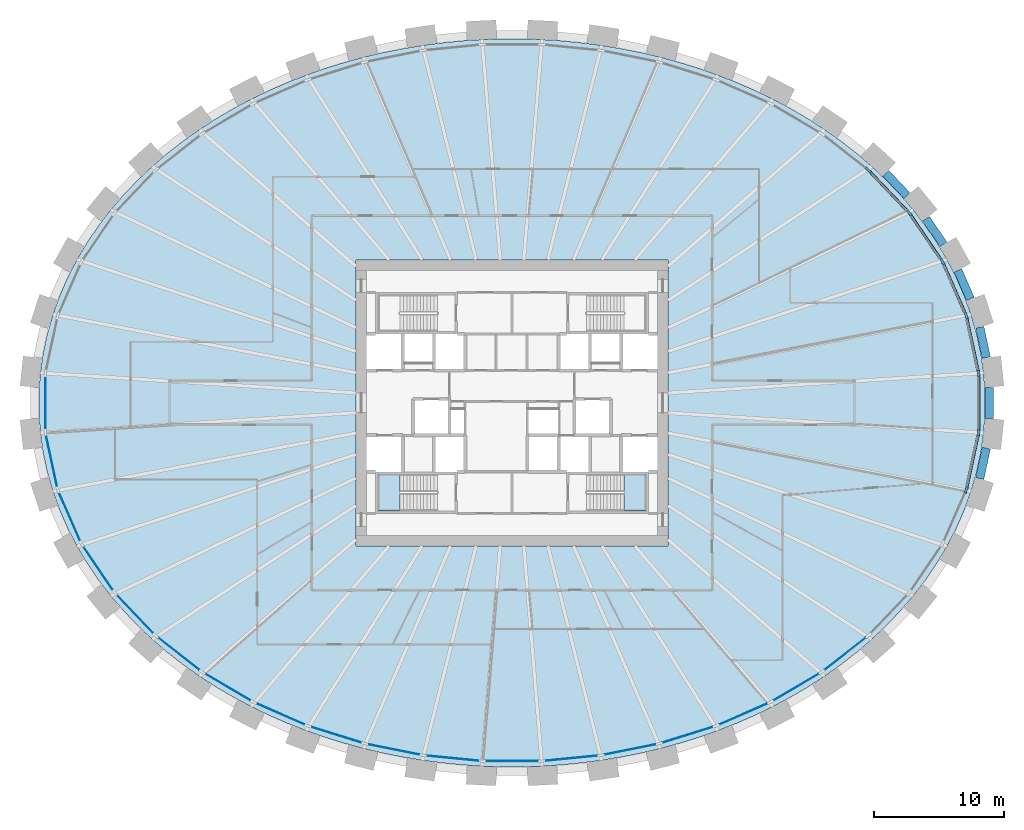
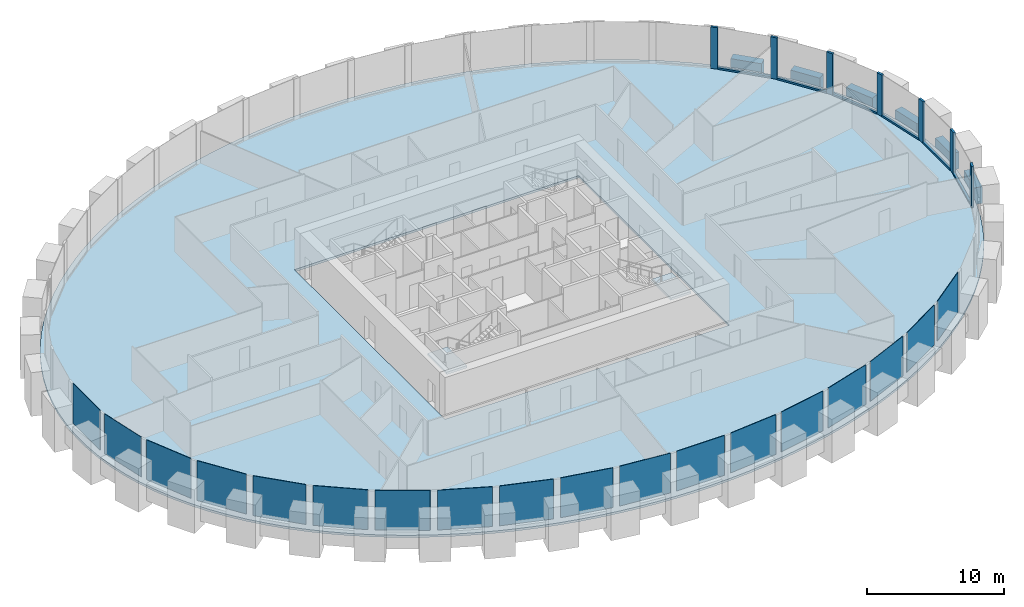
# One storey, part 4 of 10: 18 plates, 13 members, 6 beams, 3 slabs, 3 elements without a shape of their own.
"""IFC4 building model written with IfcOpenShell, lengths in metres."""

from ifc_helpers import new_model, si_unit, direction, frame, origin, origin_2d, place, context, subcontext, project, spatial, polyline, rectangle, outline, extrude, source, transform, mapped, material, layer, layer_set, material_profile, profile_set, type_object, element, aggregate, save


model = new_model("IFC4")

# Units and contexts
model_context = context("Model", 3, precision=1e-05, world=origin(), true_north=direction((0.0, 1.0)))
body_context = subcontext(model_context, "Body", "Model", "MODEL_VIEW")
ifc_project = project(units=[si_unit("LENGTHUNIT", "METRE"), si_unit("AREAUNIT", "SQUARE_METRE"), si_unit("VOLUMEUNIT", "CUBIC_METRE"), si_unit("PLANEANGLEUNIT", "RADIAN"), si_unit("MASSUNIT", "GRAM", prefix="KILO")], contexts=[model_context])

# Site, building, storey
site_placement = place(None, origin())
site = spatial("IfcSite", under=ifc_project, at=site_placement, CompositionType="ELEMENT")
building_placement = place(site_placement, origin())
building = spatial("IfcBuilding", under=site, at=building_placement, Name="Embergate Tower", CompositionType="ELEMENT")
storey_placement = place(building_placement, frame((0.0, 0.0, 179.39990234375)))
storey = spatial("IfcBuildingStorey", under=building, at=storey_placement, Name="L40", CompositionType="ELEMENT", Elevation=179.39990234375)

# Beams
ifc_material_1 = material(Name="Concrete C70", Category="concrete")
ifc_material_profile_1 = material_profile(ifc_material_1, rectangle(XDim=0.64990234375, YDim=1.5, at=origin_2d()), Name="RC 650x1500")
ifc_profile_set_1 = profile_set([ifc_material_profile_1], Name="Concrete C70")
beam_type = type_object("IfcBeamType", Name="Spandrel beam RC 650x1500 C70", PredefinedType="BEAM", material=ifc_profile_set_1)
shared_shape_1 = source(origin(), body_context, "Body", "SweptSolid", [
    extrude(rectangle(XDim=0.64990234375, YDim=1.5, at=origin_2d()), origin(), (0.0, 0.0, 1.0), 2.390625),
])
for number, where, z_axis, x_axis, name in (
    (1, (36.489013671875, 3.48388671875, 0.0), (-0.210372893439, 0.977621217909, 0.0), (-0.977621217909, -0.210372893439, 0.0), "SPN-L40-00"),
    (2, (35.986083984375, -5.821044921875, 0.0), (0.210372893439, 0.977621217909, 0.0), (-0.977621217909, 0.210372893439, 0.0), "SPN-L40-42"),
):
    element("IfcBeam", number, at=place(storey_placement, frame(where, z_axis=z_axis, x_axis=x_axis)), inside=storey, type_object=beam_type, Name=name, PredefinedType="BEAM", context=body_context, shape_type="MappedRepresentation", body=[
        mapped(shared_shape_1, transform((0.0, 0.0, 0.0))),
    ])
shared_shape_2 = source(origin(), body_context, "Body", "SweptSolid", [
    extrude(rectangle(XDim=0.64990234375, YDim=1.5, at=origin_2d()), origin(), (0.0, 0.0, 1.0), 2.383544921875),
])
beam_1_placement = place(storey_placement, frame((35.259033203125, 8.0029296875, 0.0), z_axis=(-0.401495719711, 0.915860899402, 0.0), x_axis=(-0.915860899402, -0.401495719711, 0.0)))
element("IfcBeam", 3, at=beam_1_placement, inside=storey, type_object=beam_type, Name="SPN-L40-01", PredefinedType="BEAM", context=body_context, shape_type="MappedRepresentation", body=[
    mapped(shared_shape_2, transform((0.0, 0.0, 0.0))),
])
shared_shape_3 = source(origin(), body_context, "Body", "SweptSolid", [
    extrude(rectangle(XDim=0.64990234375, YDim=1.5, at=origin_2d()), origin(), (0.0, 0.0, 1.0), 2.37744140625),
])
beam_2_placement = place(storey_placement, frame((33.18798828125, 12.198974609375, 0.0), z_axis=(-0.562307212713, 0.826928411975, 0.0), x_axis=(-0.826928411975, -0.562307212713, 0.0)))
element("IfcBeam", 4, at=beam_2_placement, inside=storey, type_object=beam_type, Name="SPN-L40-02", PredefinedType="BEAM", context=body_context, shape_type="MappedRepresentation", body=[
    mapped(shared_shape_3, transform((0.0, 0.0, 0.0))),
])
shared_shape_4 = source(origin(), body_context, "Body", "SweptSolid", [
    extrude(rectangle(XDim=0.64990234375, YDim=1.5, at=origin_2d()), origin(), (0.0, 0.0, 1.0), 2.370361328125),
])
beam_3_placement = place(storey_placement, frame((30.39111328125, 15.94189453125, 0.0), z_axis=(-0.690277300847, 0.723544917704, 0.0), x_axis=(-0.723544917704, -0.690277300847, 0.0)))
element("IfcBeam", 5, at=beam_3_placement, inside=storey, type_object=beam_type, Name="SPN-L40-03", PredefinedType="BEAM", context=body_context, shape_type="MappedRepresentation", body=[
    mapped(shared_shape_4, transform((0.0, 0.0, 0.0))),
])
shared_shape_5 = source(origin(), body_context, "Body", "SweptSolid", [
    extrude(rectangle(XDim=0.64990234375, YDim=1.5, at=origin_2d()), origin(), (0.0, 0.0, 1.0), 2.39404296875),
])
beam_4_placement = place(storey_placement, frame((36.73193359375, -1.197021484375, 0.0), z_axis=(0.0, 1.0, 0.0), x_axis=(-1.0, 0.0, 0.0)))
element("IfcBeam", 6, at=beam_4_placement, inside=storey, type_object=beam_type, Name="SPN-L40-43", PredefinedType="BEAM", context=body_context, shape_type="MappedRepresentation", body=[
    mapped(shared_shape_5, transform((0.0, 0.0, 0.0))),
])

# Curtain wall, members
ifc_material_2 = material(Name="Aluminium and glass", Category="aluminium")
curtain_wall_type = type_object("IfcCurtainWallType", Name="Recessed office glazing", PredefinedType="NOTDEFINED", material=ifc_material_2)
curtain_wall_placement = place(storey_placement, origin())
curtain_wall = element("IfcCurtainWall", 7, at=curtain_wall_placement, inside=storey, type_object=curtain_wall_type, Name="Recessed office glazing ring", ObjectType="RECESSED OFFICE GLAZING", PredefinedType="USERDEFINED")
ifc_material_3 = material(Name="Aluminium, thermally broken", Category="aluminium")
ifc_material_profile_2 = material_profile(ifc_material_3, rectangle(XDim=0.179931640625, YDim=0.52001953125, at=origin_2d()), Name="AL 520x180")
ifc_profile_set_2 = profile_set([ifc_material_profile_2], Name="Aluminium, thermally broken")
member_type_1 = type_object("IfcMemberType", Name="Office mullion", PredefinedType="MULLION", material=ifc_profile_set_2)
shared_shape_6 = source(origin(), body_context, "Body", "SweptSolid", [
    extrude(rectangle(XDim=0.179931640625, YDim=0.52001953125, at=origin_2d()), origin(), (0.0, 0.0, 1.0), 3.7001953125),
])
member_1_placement = place(storey_placement, frame((35.899658203125, 2.263427734375, 0.0), z_axis=(0.0, 0.0, 1.0), x_axis=(-0.994384770038, -0.105824992874, 0.0)))
member_1 = element("IfcMember", 8, at=member_1_placement, type_object=member_type_1, Name="CW mullion 1", PredefinedType="MULLION", context=body_context, shape_type="MappedRepresentation", body=[
    mapped(shared_shape_6, transform((0.0, 0.0, 0.0))),
])
member_2_placement = place(storey_placement, frame((34.94677734375, 6.691650390625, 0.0), z_axis=(0.0, 0.0, 1.0), x_axis=(-0.951496187099, -0.307660536853, 0.0)))
member_2 = element("IfcMember", 9, at=member_2_placement, type_object=member_type_1, Name="CW mullion 2", PredefinedType="MULLION", context=body_context, shape_type="MappedRepresentation", body=[
    mapped(shared_shape_6, transform((0.0, 0.0, 0.0))),
])
member_3_placement = place(storey_placement, frame((33.12451171875, 10.84619140625, 0.0), z_axis=(0.0, 0.0, 1.0), x_axis=(-0.874998516019, -0.484125600402, 0.0)))
member_3 = element("IfcMember", 10, at=member_3_placement, type_object=member_type_1, Name="CW mullion 3", PredefinedType="MULLION", context=body_context, shape_type="MappedRepresentation", body=[
    mapped(shared_shape_6, transform((0.0, 0.0, 0.0))),
])
member_4_placement = place(storey_placement, frame((30.568359375, 14.60498046875, 0.0), z_axis=(0.0, 0.0, 1.0), x_axis=(-0.777867080309, -0.62842883875, 0.0)))
member_4 = element("IfcMember", 11, at=member_4_placement, type_object=member_type_1, Name="CW mullion 4", PredefinedType="MULLION", context=body_context, shape_type="MappedRepresentation", body=[
    mapped(shared_shape_6, transform((0.0, 0.0, 0.0))),
])
member_5_placement = place(storey_placement, frame((27.425537109375, 17.900634765625, 0.0), z_axis=(0.0, 0.0, 1.0), x_axis=(-0.671221359023, -0.741256964346, 0.0)))
member_5 = element("IfcMember", 12, at=member_5_placement, type_object=member_type_1, Name="CW mullion 5", PredefinedType="MULLION", context=body_context, shape_type="MappedRepresentation", body=[
    mapped(shared_shape_6, transform((0.0, 0.0, 0.0))),
])
member_6_placement = place(storey_placement, frame((34.94677734375, -6.691650390625, 0.0), z_axis=(0.0, 0.0, 1.0), x_axis=(-0.951496187099, 0.307660536853, 0.0)))
member_6 = element("IfcMember", 13, at=member_6_placement, type_object=member_type_1, Name="CW mullion 43", PredefinedType="MULLION", context=body_context, shape_type="MappedRepresentation", body=[
    mapped(shared_shape_6, transform((0.0, 0.0, 0.0))),
])
member_7_placement = place(storey_placement, frame((35.899658203125, -2.263427734375, 0.0), z_axis=(0.0, 0.0, 1.0), x_axis=(-0.994384770038, 0.105824992874, 0.0)))
member_7 = element("IfcMember", 14, at=member_7_placement, type_object=member_type_1, Name="CW mullion 44", PredefinedType="MULLION", context=body_context, shape_type="MappedRepresentation", body=[
    mapped(shared_shape_6, transform((0.0, 0.0, 0.0))),
])
ifc_material_profile_3 = material_profile(ifc_material_3, rectangle(XDim=0.179931640625, YDim=0.14990234375, at=origin_2d()), Name="AL 150x180")
ifc_profile_set_3 = profile_set([ifc_material_profile_3], Name="Aluminium, thermally broken")
member_type_2 = type_object("IfcMemberType", Name="Office sill transom", PredefinedType="USERDEFINED", material=ifc_profile_set_3)
shared_shape_7 = source(origin(), body_context, "Body", "SweptSolid", [
    extrude(rectangle(XDim=0.179931640625, YDim=0.14990234375, at=origin_2d()), origin(), (0.0, 0.0, 1.0), 4.009765625),
])
member_8_placement = place(storey_placement, frame((35.844970703125, 2.517578125, 0.0751953125), z_axis=(-0.210368972531, 0.977622061635, 0.0), x_axis=(-0.977622061635, -0.210368972531, 0.0)))
member_8 = element("IfcMember", 15, at=member_8_placement, type_object=member_type_2, Name="CW transom 1.1", ObjectType="TRANSOM", PredefinedType="USERDEFINED", context=body_context, shape_type="MappedRepresentation", body=[
    mapped(shared_shape_7, transform((0.0, 0.0, 0.0))),
])
member_9_placement = place(storey_placement, frame((35.00146484375, -6.4375, 0.0751953125), z_axis=(0.210368972531, 0.977622061635, 0.0), x_axis=(-0.977622061635, 0.210368972531, 0.0)))
member_9 = element("IfcMember", 16, at=member_9_placement, type_object=member_type_2, Name="CW transom 43.1", ObjectType="TRANSOM", PredefinedType="USERDEFINED", context=body_context, shape_type="MappedRepresentation", body=[
    mapped(shared_shape_7, transform((0.0, 0.0, 0.0))),
])
shared_shape_8 = source(origin(), body_context, "Body", "SweptSolid", [
    extrude(rectangle(XDim=0.179931640625, YDim=0.14990234375, at=origin_2d()), origin(), (0.0, 0.0, 1.0), 4.0166015625),
])
member_10_placement = place(storey_placement, frame((34.84228515625, 6.9296875, 0.0751953125), z_axis=(-0.401644503167, 0.915795661202, 0.0), x_axis=(-0.915795661202, -0.401644503167, 0.0)))
member_10 = element("IfcMember", 17, at=member_10_placement, type_object=member_type_2, Name="CW transom 2.1", ObjectType="TRANSOM", PredefinedType="USERDEFINED", context=body_context, shape_type="MappedRepresentation", body=[
    mapped(shared_shape_8, transform((0.0, 0.0, 0.0))),
])
shared_shape_9 = source(origin(), body_context, "Body", "SweptSolid", [
    extrude(rectangle(XDim=0.179931640625, YDim=0.14990234375, at=origin_2d()), origin(), (0.0, 0.0, 1.0), 4.025390625),
])
member_11_placement = place(storey_placement, frame((32.978271484375, 11.061279296875, 0.0751953125), z_axis=(-0.562346517012, 0.826901683881, 0.0), x_axis=(-0.826901683881, -0.562346517012, 0.0)))
member_11 = element("IfcMember", 18, at=member_11_placement, type_object=member_type_2, Name="CW transom 3.1", ObjectType="TRANSOM", PredefinedType="USERDEFINED", context=body_context, shape_type="MappedRepresentation", body=[
    mapped(shared_shape_9, transform((0.0, 0.0, 0.0))),
])
shared_shape_10 = source(origin(), body_context, "Body", "SweptSolid", [
    extrude(rectangle(XDim=0.179931640625, YDim=0.14990234375, at=origin_2d()), origin(), (0.0, 0.0, 1.0), 4.033935546875),
])
member_12_placement = place(storey_placement, frame((30.388916015625, 14.79296875, 0.0751953125), z_axis=(-0.690112930661, 0.723701694716, 0.0), x_axis=(-0.723701694716, -0.690112930661, 0.0)))
member_12 = element("IfcMember", 19, at=member_12_placement, type_object=member_type_2, Name="CW transom 4.1", ObjectType="TRANSOM", PredefinedType="USERDEFINED", context=body_context, shape_type="MappedRepresentation", body=[
    mapped(shared_shape_10, transform((0.0, 0.0, 0.0))),
])
shared_shape_11 = source(origin(), body_context, "Body", "SweptSolid", [
    extrude(rectangle(XDim=0.179931640625, YDim=0.14990234375, at=origin_2d()), origin(), (0.0, 0.0, 1.0), 4.0068359375),
])
member_13_placement = place(storey_placement, frame((35.899658203125, -2.00341796875, 0.0751953125), z_axis=(0.0, 1.0, 0.0), x_axis=(-1.0, 0.0, 0.0)))
member_13 = element("IfcMember", 20, at=member_13_placement, type_object=member_type_2, Name="CW transom 44.1", ObjectType="TRANSOM", PredefinedType="USERDEFINED", context=body_context, shape_type="MappedRepresentation", body=[
    mapped(shared_shape_11, transform((0.0, 0.0, 0.0))),
])

# Slab
ifc_material_4 = material(Name="Concrete C40", Category="concrete")
ifc_layer_1 = layer(ifc_material_4, 0.199951171875)
ifc_layer_set_1 = layer_set([ifc_layer_1], Name="Concrete C40")
slab_type_1 = type_object("IfcSlabType", Name="Composite floor slab C40 200", PredefinedType="FLOOR", material=ifc_layer_set_1)
shared_shape_12 = source(origin(), body_context, "Body", "SweptSolid", [
    extrude(outline(polyline([(0.0, 0.0), (1.5400390625, 0.0), (3.0791015625, 0.050048828125), (4.617919921875, 0.15087890625), (6.151123046875, 0.302001953125), (7.674072265625, 0.501953125), (9.198974609375, 0.7548828125), (10.708984375, 1.057861328125), (12.200927734375, 1.409912109375), (13.696044921875, 1.81787109375), (15.166015625, 2.27587890625), (16.609130859375, 2.782958984375), (18.053955078125, 3.35107421875), (19.465087890625, 3.968017578125), (20.839111328125, 4.6318359375), (22.2109375, 5.364990234375), (23.5390625, 6.14501953125), (24.818115234375, 6.971923828125), (26.089111328125, 7.8740234375), (27.302978515625, 8.821044921875), (28.4560546875, 9.81201171875), (29.589111328125, 10.884033203125), (30.651123046875, 11.998046875), (31.64111328125, 13.15087890625), (32.590087890625, 14.387939453125), (33.4560546875, 15.660888671875), (34.235107421875, 16.966064453125), (34.949951171875, 18.347900390625), (35.568115234375, 19.7568359375), (36.0869140625, 21.18896484375), (36.51708984375, 22.677978515625), (36.841064453125, 24.181884765625), (37.05712890625, 25.697021484375), (37.1669921875, 27.23291015625), (37.1669921875, 28.77099609375), (37.05712890625, 30.306884765625), (36.841064453125, 31.822021484375), (36.51708984375, 33.325927734375), (36.0869140625, 34.81494140625), (35.568115234375, 36.2470703125), (34.949951171875, 37.656005859375), (34.235107421875, 39.037841796875), (33.4560546875, 40.343017578125), (32.590087890625, 41.615966796875), (31.64111328125, 42.85302734375), (30.651123046875, 44.005859375), (29.589111328125, 45.119873046875), (28.4560546875, 46.19189453125), (27.302978515625, 47.182861328125), (26.089111328125, 48.1298828125), (24.818115234375, 49.031982421875), (23.5390625, 49.85888671875), (22.2109375, 50.638916015625), (20.839111328125, 51.3720703125), (19.465087890625, 52.035888671875), (18.053955078125, 52.65283203125), (16.609130859375, 53.220947265625), (15.166015625, 53.72802734375), (13.696044921875, 54.18603515625), (12.200927734375, 54.593994140625), (10.708984375, 54.946044921875), (9.198974609375, 55.2490234375), (7.674072265625, 55.501953125), (6.151123046875, 55.701904296875), (4.617919921875, 55.85302734375), (3.0791015625, 55.953857421875), (1.5400390625, 56.00390625), (0.0, 56.00390625), (-1.5390625, 55.953857421875), (-3.077880859375, 55.85302734375), (-4.611083984375, 55.701904296875), (-6.134033203125, 55.501953125), (-7.658935546875, 55.2490234375), (-9.1689453125, 54.946044921875), (-10.660888671875, 54.593994140625), (-12.156005859375, 54.18603515625), (-13.6259765625, 53.72802734375), (-15.069091796875, 53.220947265625), (-16.513916015625, 52.65283203125), (-17.925048828125, 52.035888671875), (-19.299072265625, 51.3720703125), (-20.6708984375, 50.638916015625), (-21.9990234375, 49.85888671875), (-23.278076171875, 49.031982421875), (-24.549072265625, 48.1298828125), (-25.762939453125, 47.182861328125), (-26.916015625, 46.19189453125), (-28.049072265625, 45.119873046875), (-29.111083984375, 44.005859375), (-30.10107421875, 42.85302734375), (-31.050048828125, 41.615966796875), (-31.916015625, 40.343017578125), (-32.695068359375, 39.037841796875), (-33.409912109375, 37.656005859375), (-34.028076171875, 36.2470703125), (-34.546875, 34.81494140625), (-34.97705078125, 33.325927734375), (-35.301025390625, 31.822021484375), (-35.51708984375, 30.306884765625), (-35.626953125, 28.77099609375), (-35.626953125, 27.23291015625), (-35.51708984375, 25.697021484375), (-35.301025390625, 24.181884765625), (-34.97705078125, 22.677978515625), (-34.546875, 21.18896484375), (-34.028076171875, 19.7568359375), (-33.409912109375, 18.347900390625), (-32.695068359375, 16.966064453125), (-31.916015625, 15.660888671875), (-31.050048828125, 14.387939453125), (-30.10107421875, 13.15087890625), (-29.111083984375, 11.998046875), (-28.049072265625, 10.884033203125), (-26.916015625, 9.81201171875), (-25.762939453125, 8.821044921875), (-24.549072265625, 7.8740234375), (-23.278076171875, 6.971923828125), (-21.9990234375, 6.14501953125), (-20.6708984375, 5.364990234375), (-19.299072265625, 4.6318359375), (-17.925048828125, 3.968017578125), (-16.513916015625, 3.35107421875), (-15.069091796875, 2.782958984375), (-13.6259765625, 2.27587890625), (-12.156005859375, 1.81787109375), (-10.660888671875, 1.409912109375), (-9.1689453125, 1.057861328125), (-7.658935546875, 0.7548828125), (-6.134033203125, 0.501953125), (-4.611083984375, 0.302001953125), (-3.077880859375, 0.15087890625), (-1.5390625, 0.050048828125), (0.0, 0.0)]), holes=[polyline([(-11.22998046875, 17.001953125), (-11.22998046875, 39.001953125), (12.77001953125, 39.001953125), (12.77001953125, 17.001953125), (-11.22998046875, 17.001953125)])]), origin(), (0.0, 0.0, 1.0), 0.199951171875),
])
slab_1_placement = place(storey_placement, frame((-0.77001953125, -28.001953125, -0.199951171875)))
element("IfcSlab", 21, at=slab_1_placement, inside=storey, type_object=slab_type_1, Name="SLB-L40-00", PredefinedType="FLOOR", context=body_context, shape_type="MappedRepresentation", body=[
    mapped(shared_shape_12, transform((0.0, 0.0, 0.0))),
])

# Plate
ifc_material_5 = material(Name="Triple glazing, low-emissivity coating", Category="glass")
ifc_layer_2 = layer(ifc_material_5, 0.035888671875)
ifc_layer_set_2 = layer_set([ifc_layer_2], Name="Triple glazing, low-emissivity coating")
plate_type = type_object("IfcPlateType", Name="Office glazing unit", PredefinedType="CURTAIN_PANEL", material=ifc_layer_set_2)
shared_shape_13 = source(origin(), body_context, "Body", "SweptSolid", [
    extrude(rectangle(XDim=4.055419921875, YDim=0.035888671875, at=origin_2d()), origin(), (0.0, 0.0, 1.0), 3.550048828125),
])
plate_1_placement = place(storey_placement, frame((-13.518798828125, -25.533935546875, 0.14990234375), z_axis=(0.0, 0.0, 1.0), x_axis=(0.954773255075, -0.29733488089, 0.0)))
plate_1 = element("IfcPlate", 22, at=plate_1_placement, type_object=plate_type, Name="CW panel 30.1", PredefinedType="CURTAIN_PANEL", context=body_context, shape_type="MappedRepresentation", body=[
    mapped(shared_shape_13, transform((0.0, 0.0, 0.0))),
])

plate_2_placement = place(storey_placement, frame((13.518798828125, -25.533935546875, 0.14990234375), z_axis=(0.0, 0.0, 1.0), x_axis=(0.954773255075, 0.29733488089, 0.0)))
plate_2 = element("IfcPlate", 23, at=plate_2_placement, type_object=plate_type, Name="CW panel 36.1", PredefinedType="CURTAIN_PANEL", context=body_context, shape_type="MappedRepresentation", body=[
    mapped(shared_shape_13, transform((0.0, 0.0, 0.0))),
])

shared_shape_14 = source(origin(), body_context, "Body", "SweptSolid", [
    extrude(rectangle(XDim=4.009765625, YDim=0.035888671875, at=origin_2d()), origin(), (0.0, 0.0, 1.0), 3.550048828125),
])
plate_3_placement = place(storey_placement, frame((-35.423095703125, -4.4775390625, 0.14990234375), z_axis=(0.0, 0.0, 1.0), x_axis=(0.210401803698, -0.977614996305, 0.0)))
plate_3 = element("IfcPlate", 24, at=plate_3_placement, type_object=plate_type, Name="CW panel 23.1", PredefinedType="CURTAIN_PANEL", context=body_context, shape_type="MappedRepresentation", body=[
    mapped(shared_shape_14, transform((0.0, 0.0, 0.0))),
])

shared_shape_15 = source(origin(), body_context, "Body", "SweptSolid", [
    extrude(rectangle(XDim=4.0166015625, YDim=0.035888671875, at=origin_2d()), origin(), (0.0, 0.0, 1.0), 3.550048828125),
])
plate_4_placement = place(storey_placement, frame((-34.03564453125, -8.76904296875, 0.14990234375), z_axis=(0.0, 0.0, 1.0), x_axis=(0.401658494584, -0.915789524797, 0.0)))
plate_4 = element("IfcPlate", 25, at=plate_4_placement, type_object=plate_type, Name="CW panel 24.1", PredefinedType="CURTAIN_PANEL", context=body_context, shape_type="MappedRepresentation", body=[
    mapped(shared_shape_15, transform((0.0, 0.0, 0.0))),
])

shared_shape_16 = source(origin(), body_context, "Body", "SweptSolid", [
    extrude(rectangle(XDim=4.025390625, YDim=0.035888671875, at=origin_2d()), origin(), (0.0, 0.0, 1.0), 3.550048828125),
])
plate_5_placement = place(storey_placement, frame((-31.846435546875, -12.7255859375, 0.14990234375), z_axis=(0.0, 0.0, 1.0), x_axis=(0.562347514787, -0.826901005328, 0.0)))
plate_5 = element("IfcPlate", 26, at=plate_5_placement, type_object=plate_type, Name="CW panel 25.1", PredefinedType="CURTAIN_PANEL", context=body_context, shape_type="MappedRepresentation", body=[
    mapped(shared_shape_16, transform((0.0, 0.0, 0.0))),
])

shared_shape_17 = source(origin(), body_context, "Body", "SweptSolid", [
    extrude(rectangle(XDim=4.0341796875, YDim=0.035888671875, at=origin_2d()), origin(), (0.0, 0.0, 1.0), 3.550048828125),
])
plate_6_placement = place(storey_placement, frame((-28.996826171875, -16.252685546875, 0.14990234375), z_axis=(0.0, 0.0, 1.0), x_axis=(0.690140099753, -0.723675785634, 0.0)))
plate_6 = element("IfcPlate", 27, at=plate_6_placement, type_object=plate_type, Name="CW panel 26.1", PredefinedType="CURTAIN_PANEL", context=body_context, shape_type="MappedRepresentation", body=[
    mapped(shared_shape_17, transform((0.0, 0.0, 0.0))),
])

shared_shape_18 = source(origin(), body_context, "Body", "SweptSolid", [
    extrude(rectangle(XDim=4.04150390625, YDim=0.035888671875, at=origin_2d()), origin(), (0.0, 0.0, 1.0), 3.550048828125),
])
plate_7_placement = place(storey_placement, frame((-25.62744140625, -19.3037109375, 0.14990234375), z_axis=(0.0, 0.0, 1.0), x_axis=(0.788324414597, -0.61525979663, 0.0)))
plate_7 = element("IfcPlate", 28, at=plate_7_placement, type_object=plate_type, Name="CW panel 27.1", PredefinedType="CURTAIN_PANEL", context=body_context, shape_type="MappedRepresentation", body=[
    mapped(shared_shape_18, transform((0.0, 0.0, 0.0))),
])

plate_8_placement = place(storey_placement, frame((25.62744140625, -19.3037109375, 0.14990234375), z_axis=(0.0, 0.0, 1.0), x_axis=(0.788324414597, 0.61525979663, 0.0)))
plate_8 = element("IfcPlate", 29, at=plate_8_placement, type_object=plate_type, Name="CW panel 39.1", PredefinedType="CURTAIN_PANEL", context=body_context, shape_type="MappedRepresentation", body=[
    mapped(shared_shape_18, transform((0.0, 0.0, 0.0))),
])

shared_shape_19 = source(origin(), body_context, "Body", "SweptSolid", [
    extrude(rectangle(XDim=4.047607421875, YDim=0.035888671875, at=origin_2d()), origin(), (0.0, 0.0, 1.0), 3.550048828125),
])
plate_9_placement = place(storey_placement, frame((-21.86083984375, -21.864501953125, 0.14990234375), z_axis=(0.0, 0.0, 1.0), x_axis=(0.862055821492, -0.506813339043, 0.0)))
plate_9 = element("IfcPlate", 30, at=plate_9_placement, type_object=plate_type, Name="CW panel 28.1", PredefinedType="CURTAIN_PANEL", context=body_context, shape_type="MappedRepresentation", body=[
    mapped(shared_shape_19, transform((0.0, 0.0, 0.0))),
])

plate_10_placement = place(storey_placement, frame((21.86083984375, -21.864501953125, 0.14990234375), z_axis=(0.0, 0.0, 1.0), x_axis=(0.862055821492, 0.506813339043, 0.0)))
plate_10 = element("IfcPlate", 31, at=plate_10_placement, type_object=plate_type, Name="CW panel 38.1", PredefinedType="CURTAIN_PANEL", context=body_context, shape_type="MappedRepresentation", body=[
    mapped(shared_shape_19, transform((0.0, 0.0, 0.0))),
])

shared_shape_20 = source(origin(), body_context, "Body", "SweptSolid", [
    extrude(rectangle(XDim=4.052001953125, YDim=0.035888671875, at=origin_2d()), origin(), (0.0, 0.0, 1.0), 3.550048828125),
])
plate_11_placement = place(storey_placement, frame((-17.797607421875, -23.937744140625, 0.14990234375), z_axis=(0.0, 0.0, 1.0), x_axis=(0.916238309467, -0.400633698365, 0.0)))
plate_11 = element("IfcPlate", 32, at=plate_11_placement, type_object=plate_type, Name="CW panel 29.1", PredefinedType="CURTAIN_PANEL", context=body_context, shape_type="MappedRepresentation", body=[
    mapped(shared_shape_20, transform((0.0, 0.0, 0.0))),
])

plate_12_placement = place(storey_placement, frame((17.797607421875, -23.937744140625, 0.14990234375), z_axis=(0.0, 0.0, 1.0), x_axis=(0.916238309467, 0.400633698365, 0.0)))
plate_12 = element("IfcPlate", 33, at=plate_12_placement, type_object=plate_type, Name="CW panel 37.1", PredefinedType="CURTAIN_PANEL", context=body_context, shape_type="MappedRepresentation", body=[
    mapped(shared_shape_20, transform((0.0, 0.0, 0.0))),
])

shared_shape_21 = source(origin(), body_context, "Body", "SweptSolid", [
    extrude(rectangle(XDim=4.0576171875, YDim=0.035888671875, at=origin_2d()), origin(), (0.0, 0.0, 1.0), 3.550048828125),
])
plate_13_placement = place(storey_placement, frame((-9.090576171875, -26.6640625, 0.14990234375), z_axis=(0.0, 0.0, 1.0), x_axis=(0.980476250608, -0.196637539636, 0.0)))
plate_13 = element("IfcPlate", 34, at=plate_13_placement, type_object=plate_type, Name="CW panel 31.1", PredefinedType="CURTAIN_PANEL", context=body_context, shape_type="MappedRepresentation", body=[
    mapped(shared_shape_21, transform((0.0, 0.0, 0.0))),
])

plate_14_placement = place(storey_placement, frame((9.090576171875, -26.6640625, 0.14990234375), z_axis=(0.0, 0.0, 1.0), x_axis=(0.980476250608, 0.196637539636, 0.0)))
plate_14 = element("IfcPlate", 35, at=plate_14_placement, type_object=plate_type, Name="CW panel 35.1", PredefinedType="CURTAIN_PANEL", context=body_context, shape_type="MappedRepresentation", body=[
    mapped(shared_shape_21, transform((0.0, 0.0, 0.0))),
])

shared_shape_22 = source(origin(), body_context, "Body", "SweptSolid", [
    extrude(rectangle(XDim=4.058837890625, YDim=0.035888671875, at=origin_2d()), origin(), (0.0, 0.0, 1.0), 3.550048828125),
])
plate_15_placement = place(storey_placement, frame((-4.568115234375, -27.338134765625, 0.14990234375), z_axis=(0.0, 0.0, 1.0), x_axis=(0.995203355531, -0.09782781373, 0.0)))
plate_15 = element("IfcPlate", 36, at=plate_15_placement, type_object=plate_type, Name="CW panel 32.1", PredefinedType="CURTAIN_PANEL", context=body_context, shape_type="MappedRepresentation", body=[
    mapped(shared_shape_22, transform((0.0, 0.0, 0.0))),
])

plate_16_placement = place(storey_placement, frame((4.568115234375, -27.338134765625, 0.14990234375), z_axis=(0.0, 0.0, 1.0), x_axis=(0.995203355531, 0.09782781373, 0.0)))
plate_16 = element("IfcPlate", 37, at=plate_16_placement, type_object=plate_type, Name="CW panel 34.1", PredefinedType="CURTAIN_PANEL", context=body_context, shape_type="MappedRepresentation", body=[
    mapped(shared_shape_22, transform((0.0, 0.0, 0.0))),
])

shared_shape_23 = source(origin(), body_context, "Body", "SweptSolid", [
    extrude(rectangle(XDim=4.05908203125, YDim=0.035888671875, at=origin_2d()), origin(), (0.0, 0.0, 1.0), 3.550048828125),
])
plate_17_placement = place(storey_placement, frame((0.0, -27.56201171875, 0.14990234375), z_axis=(0.0, 0.0, 1.0), x_axis=(1.0, 0.0, 0.0)))
plate_17 = element("IfcPlate", 38, at=plate_17_placement, type_object=plate_type, Name="CW panel 33.1", PredefinedType="CURTAIN_PANEL", context=body_context, shape_type="MappedRepresentation", body=[
    mapped(shared_shape_23, transform((0.0, 0.0, 0.0))),
])

shared_shape_24 = source(origin(), body_context, "Body", "SweptSolid", [
    extrude(rectangle(XDim=4.007080078125, YDim=0.035888671875, at=origin_2d()), origin(), (0.0, 0.0, 1.0), 3.550048828125),
])
plate_18_placement = place(storey_placement, frame((-35.899658203125, 0.0, 0.14990234375), z_axis=(0.0, 0.0, 1.0), x_axis=(0.0, -1.0, 0.0)))
plate_18 = element("IfcPlate", 39, at=plate_18_placement, type_object=plate_type, Name="CW panel 22.1", PredefinedType="CURTAIN_PANEL", context=body_context, shape_type="MappedRepresentation", body=[
    mapped(shared_shape_24, transform((0.0, 0.0, 0.0))),
])

aggregate(curtain_wall, [member_1, member_2, member_3, member_4, member_5, member_6, member_7, member_8, member_10, member_11, member_12, plate_18, plate_3, plate_4, plate_5, plate_6, plate_7, plate_9, plate_11, plate_1, plate_13, plate_15, plate_17, plate_16, plate_14, plate_2, plate_12, plate_10, plate_8, member_9, member_13])

# Stair, slab
ifc_material_6 = material(Name="Exit stair")
stair_type = type_object("IfcStairType", Name="Exit stair", PredefinedType="HALF_TURN_STAIR", material=ifc_material_6)
stair_1_placement = place(storey_placement, origin())
stair_1 = element("IfcStair", 40, at=stair_1_placement, inside=storey, type_object=stair_type, Name="L40 Exit stair 3", PredefinedType="HALF_TURN_STAIR")
ifc_layer_3 = layer(ifc_material_4, 0.199951171875)
ifc_layer_set_3 = layer_set([ifc_layer_3], Name="Concrete C40")
slab_type_2 = type_object("IfcSlabType", Name="Stair landing reinforced concrete", PredefinedType="LANDING", material=ifc_layer_set_3)
shared_shape_25 = source(origin(), body_context, "Body", "SweptSolid", [
    extrude(outline(polyline([(0.0, 0.0), (1.68994140625, 0.0), (1.68994140625, 2.800048828125), (0.0, 2.800048828125), (0.0, 0.0)])), origin(), (0.0, 0.0, 1.0), 0.2001953125),
])
slab_2_placement = place(storey_placement, frame((-10.300048828125, -8.300048828125, 1.75)))
slab_2 = element("IfcSlab", 41, at=slab_2_placement, type_object=slab_type_2, Name="ST3 landing 1", PredefinedType="LANDING", context=body_context, shape_type="MappedRepresentation", body=[
    mapped(shared_shape_25, transform((0.0, 0.0, 0.0))),
])
aggregate(stair_1, [slab_2])

stair_2_placement = place(storey_placement, origin())
stair_2 = element("IfcStair", 42, at=stair_2_placement, inside=storey, type_object=stair_type, Name="L40 Exit stair 4", PredefinedType="HALF_TURN_STAIR")
slab_3_placement = place(storey_placement, frame((8.610107421875, -8.300048828125, 1.75)))
slab_3 = element("IfcSlab", 43, at=slab_3_placement, type_object=slab_type_2, Name="ST4 landing 1", PredefinedType="LANDING", context=body_context, shape_type="MappedRepresentation", body=[
    mapped(shared_shape_25, transform((0.0, 0.0, 0.0))),
])
aggregate(stair_2, [slab_3])

save(model, "model.ifc")
